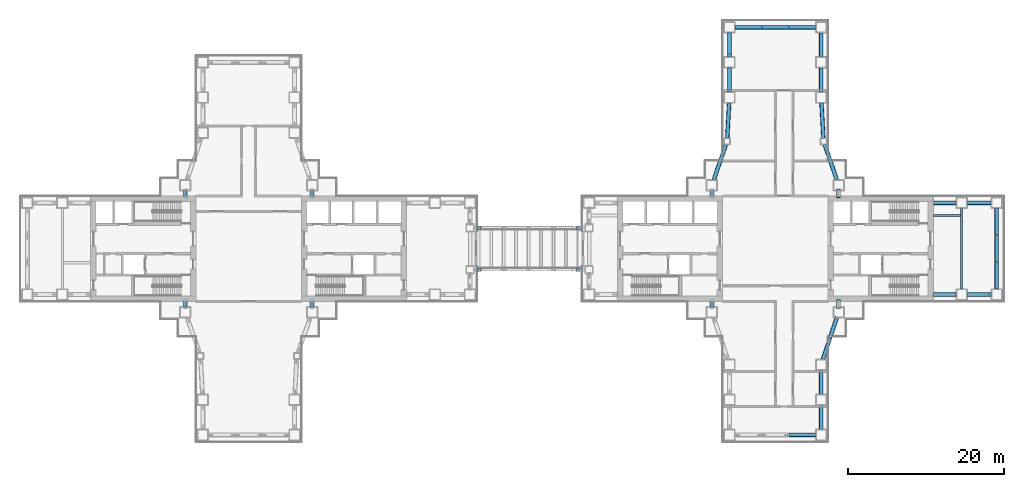
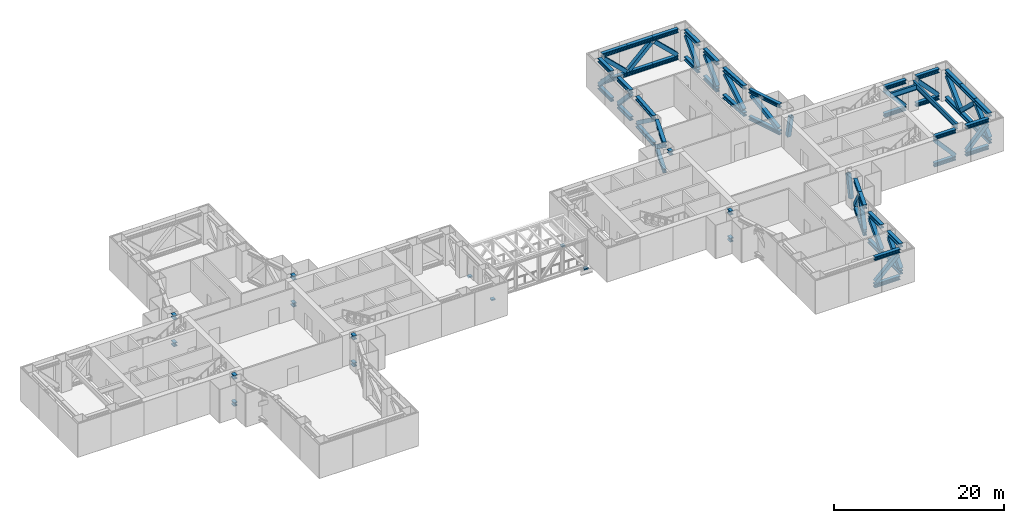
# One storey, part 7 of 23: 86 members, 2 beams.
"""IFC4 building model written with IfcOpenShell, lengths in metres."""

from ifc_helpers import new_model, si_unit, direction, frame, origin, origin_2d, place, context, subcontext, project, spatial, rectangle, hollow_rectangle, i_section, extrude, material, material_profile, profile_set, type_object, element, save


model = new_model("IFC4")

# Units and contexts
model_context = context("Model", 3, precision=1e-05, world=origin(), true_north=direction((0.0, 1.0)))
body_context = subcontext(model_context, "Body", "Model", "MODEL_VIEW")
ifc_project = project(units=[si_unit("LENGTHUNIT", "METRE"), si_unit("AREAUNIT", "SQUARE_METRE"), si_unit("VOLUMEUNIT", "CUBIC_METRE"), si_unit("PLANEANGLEUNIT", "RADIAN"), si_unit("MASSUNIT", "GRAM", prefix="KILO")], contexts=[model_context])

# Site, building, storey
site_placement = place(None, origin())
site = spatial("IfcSite", under=ifc_project, at=site_placement, CompositionType="ELEMENT")
building_placement = place(site_placement, origin())
building = spatial("IfcBuilding", under=site, at=building_placement, Name="Shamsa Quay Exchange Towers", CompositionType="ELEMENT")
storey_placement = place(building_placement, frame((0.0, 0.0, 77.10009765625)))
storey = spatial("IfcBuildingStorey", under=building, at=storey_placement, Name="L17", CompositionType="ELEMENT", Elevation=77.10009765625)

# Members
ifc_material = material(Name="Steel S355", Category="steel")
ifc_material_profile_1 = material_profile(ifc_material, i_section(OverallWidth=0.454345703125, OverallDepth=0.569580078125, WebThickness=0.077880859375, FlangeThickness=0.124755859375, at=origin_2d()), Name="W14x730")
ifc_profile_set_1 = profile_set([ifc_material_profile_1], Name="Steel S355")
member_type_1 = type_object("IfcMemberType", Name="Belt chord W14x730", PredefinedType="CHORD", material=ifc_profile_set_1)
for number, where, z_axis, x_axis, name in (
    (1, (35.47509765625, -23.875, 4.1650390625), (1.0, 0.0, 0.0), (0.0, 1.0, 0.0), "Belt truss chord T2 L17 6"),
    (2, (35.47509765625, -23.875, 0.28466796875), (1.0, 0.0, 0.0), (0.0, 1.0, 0.0), "Belt truss chord T2 L17 6"),
):
    element("IfcMember", number, at=place(storey_placement, frame(where, z_axis=z_axis, x_axis=x_axis)), inside=storey, type_object=member_type_1, Name=name, PredefinedType="CHORD", context=body_context, shape_type="SweptSolid", body=[
        extrude(i_section(OverallWidth=0.454345703125, OverallDepth=0.569580078125, WebThickness=0.077880859375, FlangeThickness=0.124755859375, at=origin_2d()), origin(), (0.0, 0.0, 1.0), 3.449951171875),
    ])
for number, where, z_axis, x_axis, name in (
    (3, (39.625, -23.175048828125, 4.1650390625), (0.0, 1.0, 0.0), (-1.0, 0.0, 0.0), "Belt truss chord T2 L17 7"),
    (4, (39.625, -23.175048828125, 0.28466796875), (0.0, 1.0, 0.0), (-1.0, 0.0, 0.0), "Belt truss chord T2 L17 7"),
    (5, (39.625, -18.675048828125, 4.1650390625), (0.0, 1.0, 0.0), (-1.0, 0.0, 0.0), "Belt truss chord T2 L17 8"),
    (6, (39.625, -18.675048828125, 0.28466796875), (0.0, 1.0, 0.0), (-1.0, 0.0, 0.0), "Belt truss chord T2 L17 8"),
):
    element("IfcMember", number, at=place(storey_placement, frame(where, z_axis=z_axis, x_axis=x_axis)), inside=storey, type_object=member_type_1, Name=name, PredefinedType="CHORD", context=body_context, shape_type="SweptSolid", body=[
        extrude(i_section(OverallWidth=0.454345703125, OverallDepth=0.569580078125, WebThickness=0.077880859375, FlangeThickness=0.124755859375, at=origin_2d()), origin(), (0.0, 0.0, 1.0), 3.10009765625),
    ])
for number, where, z_axis, x_axis, name in (
    (7, (39.8583984375, -14.175048828125, 4.1650390625), (0.316201790943, 0.948691956013, 0.0), (-0.948691956013, 0.316201790943, 0.0), "Belt truss chord T2 L17 9"),
    (8, (39.8583984375, -14.175048828125, 0.28466796875), (0.316201790943, 0.948691956013, 0.0), (-0.948691956013, 0.316201790943, 0.0), "Belt truss chord T2 L17 9"),
    (9, (40.75, -11.5, 4.1650390625), (0.316201790943, 0.948691956013, 0.0), (-0.948691956013, 0.316201790943, 0.0), "Belt truss chord T2 L17 9"),
    (10, (40.75, -11.5, 0.28466796875), (0.316201790943, 0.948691956013, 0.0), (-0.948691956013, 0.316201790943, 0.0), "Belt truss chord T2 L17 9"),
):
    element("IfcMember", number, at=place(storey_placement, frame(where, z_axis=z_axis, x_axis=x_axis)), inside=storey, type_object=member_type_1, Name=name, PredefinedType="CHORD", context=body_context, shape_type="SweptSolid", body=[
        extrude(i_section(OverallWidth=0.454345703125, OverallDepth=0.569580078125, WebThickness=0.077880859375, FlangeThickness=0.124755859375, at=origin_2d()), origin(), (0.0, 0.0, 1.0), 2.81982421875),
    ])
for number, where, z_axis, x_axis, name in (
    (11, (58.324951171875, -5.875, 4.1650390625), (1.0, 0.0, 0.0), (0.0, 1.0, 0.0), "Belt truss chord T2 L17 12"),
    (12, (58.324951171875, -5.875, 0.28466796875), (1.0, 0.0, 0.0), (0.0, 1.0, 0.0), "Belt truss chord T2 L17 12"),
):
    element("IfcMember", number, at=place(storey_placement, frame(where, z_axis=z_axis, x_axis=x_axis)), inside=storey, type_object=member_type_1, Name=name, PredefinedType="CHORD", context=body_context, shape_type="SweptSolid", body=[
        extrude(i_section(OverallWidth=0.454345703125, OverallDepth=0.569580078125, WebThickness=0.077880859375, FlangeThickness=0.124755859375, at=origin_2d()), origin(), (0.0, 0.0, 1.0), 3.10009765625),
    ])
for number, where, z_axis, x_axis, name in (
    (13, (62.125, -5.175048828125, 4.1650390625), (0.0, 1.0, 0.0), (-1.0, 0.0, 0.0), "Belt truss chord T2 L17 13"),
    (14, (62.125, -5.175048828125, 0.28466796875), (0.0, 1.0, 0.0), (-1.0, 0.0, 0.0), "Belt truss chord T2 L17 13"),
):
    element("IfcMember", number, at=place(storey_placement, frame(where, z_axis=z_axis, x_axis=x_axis)), inside=storey, type_object=member_type_1, Name=name, PredefinedType="CHORD", context=body_context, shape_type="SweptSolid", body=[
        extrude(i_section(OverallWidth=0.454345703125, OverallDepth=0.569580078125, WebThickness=0.077880859375, FlangeThickness=0.124755859375, at=origin_2d()), origin(), (0.0, 0.0, 1.0), 3.449951171875),
    ])
for number, where, z_axis, x_axis, name in (
    (15, (62.125, -1.72509765625, 4.1650390625), (0.0, 1.0, 0.0), (-1.0, 0.0, 0.0), "Belt truss chord T2 L17 13"),
    (16, (62.125, -1.72509765625, 0.28466796875), (0.0, 1.0, 0.0), (-1.0, 0.0, 0.0), "Belt truss chord T2 L17 13"),
):
    element("IfcMember", number, at=place(storey_placement, frame(where, z_axis=z_axis, x_axis=x_axis)), inside=storey, type_object=member_type_1, Name=name, PredefinedType="CHORD", context=body_context, shape_type="SweptSolid", body=[
        extrude(i_section(OverallWidth=0.454345703125, OverallDepth=0.569580078125, WebThickness=0.077880859375, FlangeThickness=0.124755859375, at=origin_2d()), origin(), (0.0, 0.0, 1.0), 3.4501953125),
    ])
for number, where, z_axis, x_axis, name in (
    (17, (62.125, 1.72509765625, 4.1650390625), (0.0, 1.0, 0.0), (-1.0, 0.0, 0.0), "Belt truss chord T2 L17 13"),
    (18, (62.125, 1.72509765625, 0.28466796875), (0.0, 1.0, 0.0), (-1.0, 0.0, 0.0), "Belt truss chord T2 L17 13"),
):
    element("IfcMember", number, at=place(storey_placement, frame(where, z_axis=z_axis, x_axis=x_axis)), inside=storey, type_object=member_type_1, Name=name, PredefinedType="CHORD", context=body_context, shape_type="SweptSolid", body=[
        extrude(i_section(OverallWidth=0.454345703125, OverallDepth=0.569580078125, WebThickness=0.077880859375, FlangeThickness=0.124755859375, at=origin_2d()), origin(), (0.0, 0.0, 1.0), 3.449951171875),
    ])
for number, where, z_axis, x_axis, name in (
    (19, (61.425048828125, 5.875, 4.1650390625), (-1.0, 0.0, 0.0), (0.0, -1.0, 0.0), "Belt truss chord T2 L17 14"),
    (20, (61.425048828125, 5.875, 0.28466796875), (-1.0, 0.0, 0.0), (0.0, -1.0, 0.0), "Belt truss chord T2 L17 14"),
):
    element("IfcMember", number, at=place(storey_placement, frame(where, z_axis=z_axis, x_axis=x_axis)), inside=storey, type_object=member_type_1, Name=name, PredefinedType="CHORD", context=body_context, shape_type="SweptSolid", body=[
        extrude(i_section(OverallWidth=0.454345703125, OverallDepth=0.569580078125, WebThickness=0.077880859375, FlangeThickness=0.124755859375, at=origin_2d()), origin(), (0.0, 0.0, 1.0), 3.10009765625),
    ])
for number, where, z_axis, x_axis, name in (
    (21, (41.6337890625, 8.824951171875, 4.1650390625), (-0.325654239425, 0.945488929784, 0.0), (-0.945488929784, -0.325654239425, 0.0), "Belt truss chord T2 L17 17"),
    (22, (41.6337890625, 8.824951171875, 0.28466796875), (-0.325654239425, 0.945488929784, 0.0), (-0.945488929784, -0.325654239425, 0.0), "Belt truss chord T2 L17 17"),
):
    element("IfcMember", number, at=place(storey_placement, frame(where, z_axis=z_axis, x_axis=x_axis)), inside=storey, type_object=member_type_1, Name=name, PredefinedType="CHORD", context=body_context, shape_type="SweptSolid", body=[
        extrude(i_section(OverallWidth=0.454345703125, OverallDepth=0.569580078125, WebThickness=0.077880859375, FlangeThickness=0.124755859375, at=origin_2d()), origin(), (0.0, 0.0, 1.0), 4.7861328125),
    ])
for number, where, z_axis, x_axis, name in (
    (23, (39.915283203125, 14.14990234375, 4.1650390625), (-0.05548493715, 0.998459524342, 0.0), (-0.998459524342, -0.05548493715, 0.0), "Belt truss chord T2 L17 18"),
    (24, (39.915283203125, 14.14990234375, 0.28466796875), (-0.05548493715, 0.998459524342, 0.0), (-0.998459524342, -0.05548493715, 0.0), "Belt truss chord T2 L17 18"),
):
    element("IfcMember", number, at=place(storey_placement, frame(where, z_axis=z_axis, x_axis=x_axis)), inside=storey, type_object=member_type_1, Name=name, PredefinedType="CHORD", context=body_context, shape_type="SweptSolid", body=[
        extrude(i_section(OverallWidth=0.454345703125, OverallDepth=0.569580078125, WebThickness=0.077880859375, FlangeThickness=0.124755859375, at=origin_2d()), origin(), (0.0, 0.0, 1.0), 4.5322265625),
    ])
for number, where, z_axis, x_axis, name in (
    (25, (39.625, 20.074951171875, 4.1650390625), (0.0, 1.0, 0.0), (-1.0, 0.0, 0.0), "Belt truss chord T2 L17 19"),
    (26, (39.625, 20.074951171875, 0.28466796875), (0.0, 1.0, 0.0), (-1.0, 0.0, 0.0), "Belt truss chord T2 L17 19"),
    (27, (39.625, 24.574951171875, 4.1650390625), (0.0, 1.0, 0.0), (-1.0, 0.0, 0.0), "Belt truss chord T2 L17 20"),
    (28, (39.625, 24.574951171875, 0.28466796875), (0.0, 1.0, 0.0), (-1.0, 0.0, 0.0), "Belt truss chord T2 L17 20"),
):
    element("IfcMember", number, at=place(storey_placement, frame(where, z_axis=z_axis, x_axis=x_axis)), inside=storey, type_object=member_type_1, Name=name, PredefinedType="CHORD", context=body_context, shape_type="SweptSolid", body=[
        extrude(i_section(OverallWidth=0.454345703125, OverallDepth=0.569580078125, WebThickness=0.077880859375, FlangeThickness=0.124755859375, at=origin_2d()), origin(), (0.0, 0.0, 1.0), 3.10009765625),
    ])
for number, where, z_axis, x_axis, name in (
    (29, (38.925048828125, 28.375, 4.1650390625), (-1.0, 0.0, 0.0), (0.0, -1.0, 0.0), "Belt truss chord T2 L17 21"),
    (30, (38.925048828125, 28.375, 0.28466796875), (-1.0, 0.0, 0.0), (0.0, -1.0, 0.0), "Belt truss chord T2 L17 21"),
):
    element("IfcMember", number, at=place(storey_placement, frame(where, z_axis=z_axis, x_axis=x_axis)), inside=storey, type_object=member_type_1, Name=name, PredefinedType="CHORD", context=body_context, shape_type="SweptSolid", body=[
        extrude(i_section(OverallWidth=0.454345703125, OverallDepth=0.569580078125, WebThickness=0.077880859375, FlangeThickness=0.124755859375, at=origin_2d()), origin(), (0.0, 0.0, 1.0), 3.449951171875),
    ])
for number, where, z_axis, x_axis, name in (
    (31, (35.47509765625, 28.375, 4.1650390625), (-1.0, 0.0, 0.0), (0.0, -1.0, 0.0), "Belt truss chord T2 L17 21"),
    (32, (35.47509765625, 28.375, 0.28466796875), (-1.0, 0.0, 0.0), (0.0, -1.0, 0.0), "Belt truss chord T2 L17 21"),
):
    element("IfcMember", number, at=place(storey_placement, frame(where, z_axis=z_axis, x_axis=x_axis)), inside=storey, type_object=member_type_1, Name=name, PredefinedType="CHORD", context=body_context, shape_type="SweptSolid", body=[
        extrude(i_section(OverallWidth=0.454345703125, OverallDepth=0.569580078125, WebThickness=0.077880859375, FlangeThickness=0.124755859375, at=origin_2d()), origin(), (0.0, 0.0, 1.0), 3.4501953125),
    ])
for number, where, z_axis, x_axis, name in (
    (33, (32.02490234375, 28.375, 4.1650390625), (-1.0, 0.0, 0.0), (0.0, -1.0, 0.0), "Belt truss chord T2 L17 21"),
    (34, (32.02490234375, 28.375, 0.28466796875), (-1.0, 0.0, 0.0), (0.0, -1.0, 0.0), "Belt truss chord T2 L17 21"),
):
    element("IfcMember", number, at=place(storey_placement, frame(where, z_axis=z_axis, x_axis=x_axis)), inside=storey, type_object=member_type_1, Name=name, PredefinedType="CHORD", context=body_context, shape_type="SweptSolid", body=[
        extrude(i_section(OverallWidth=0.454345703125, OverallDepth=0.569580078125, WebThickness=0.077880859375, FlangeThickness=0.124755859375, at=origin_2d()), origin(), (0.0, 0.0, 1.0), 3.449951171875),
    ])
for number, where, z_axis, x_axis, name in (
    (35, (27.875, 27.675048828125, 4.1650390625), (0.0, -1.0, 0.0), (1.0, 0.0, 0.0), "Belt truss chord T2 L17 22"),
    (36, (27.875, 27.675048828125, 0.28466796875), (0.0, -1.0, 0.0), (1.0, 0.0, 0.0), "Belt truss chord T2 L17 22"),
    (37, (27.875, 23.175048828125, 4.1650390625), (0.0, -1.0, 0.0), (1.0, 0.0, 0.0), "Belt truss chord T2 L17 23"),
    (38, (27.875, 23.175048828125, 0.28466796875), (0.0, -1.0, 0.0), (1.0, 0.0, 0.0), "Belt truss chord T2 L17 23"),
):
    element("IfcMember", number, at=place(storey_placement, frame(where, z_axis=z_axis, x_axis=x_axis)), inside=storey, type_object=member_type_1, Name=name, PredefinedType="CHORD", context=body_context, shape_type="SweptSolid", body=[
        extrude(i_section(OverallWidth=0.454345703125, OverallDepth=0.569580078125, WebThickness=0.077880859375, FlangeThickness=0.124755859375, at=origin_2d()), origin(), (0.0, 0.0, 1.0), 3.10009765625),
    ])
for number, where, z_axis, x_axis, name in (
    (39, (27.836181640625, 18.675048828125, 4.1650390625), (-0.05548493715, -0.998459524342, 0.0), (0.998459524342, -0.05548493715, 0.0), "Belt truss chord T2 L17 24"),
    (40, (27.836181640625, 18.675048828125, 0.28466796875), (-0.05548493715, -0.998459524342, 0.0), (0.998459524342, -0.05548493715, 0.0), "Belt truss chord T2 L17 24"),
):
    element("IfcMember", number, at=place(storey_placement, frame(where, z_axis=z_axis, x_axis=x_axis)), inside=storey, type_object=member_type_1, Name=name, PredefinedType="CHORD", context=body_context, shape_type="SweptSolid", body=[
        extrude(i_section(OverallWidth=0.454345703125, OverallDepth=0.569580078125, WebThickness=0.077880859375, FlangeThickness=0.124755859375, at=origin_2d()), origin(), (0.0, 0.0, 1.0), 4.5322265625),
    ])
for number, where, z_axis, x_axis, name in (
    (41, (27.4248046875, 13.35009765625, 4.1650390625), (-0.325654239425, -0.945488929784, 0.0), (0.945488929784, -0.325654239425, 0.0), "Belt truss chord T2 L17 25"),
    (42, (27.4248046875, 13.35009765625, 0.28466796875), (-0.325654239425, -0.945488929784, 0.0), (0.945488929784, -0.325654239425, 0.0), "Belt truss chord T2 L17 25"),
):
    element("IfcMember", number, at=place(storey_placement, frame(where, z_axis=z_axis, x_axis=x_axis)), inside=storey, type_object=member_type_1, Name=name, PredefinedType="CHORD", context=body_context, shape_type="SweptSolid", body=[
        extrude(i_section(OverallWidth=0.454345703125, OverallDepth=0.569580078125, WebThickness=0.077880859375, FlangeThickness=0.124755859375, at=origin_2d()), origin(), (0.0, 0.0, 1.0), 4.7861328125),
    ])
ifc_material_profile_2 = material_profile(ifc_material, hollow_rectangle(XDim=0.508056640625, YDim=0.508056640625, WallThickness=0.01904296875, at=origin_2d()), Name="HSS20x20x3/4")
ifc_profile_set_2 = profile_set([ifc_material_profile_2], Name="Steel S355")
member_type_2 = type_object("IfcMemberType", Name="Belt diagonal HSS20x20x3/4", PredefinedType="BRACE", material=ifc_profile_set_2)
member_1_placement = place(storey_placement, frame((35.666015625, -23.875, 0.752685546875), z_axis=(0.721511218658, 0.0, 0.692402745048), x_axis=(0.0, 1.0, 0.0)))
element("IfcMember", 43, at=member_1_placement, inside=storey, type_object=member_type_2, Name="Belt truss diagonal T2 L17 6", PredefinedType="BRACE", context=body_context, shape_type="SweptSolid", body=[
    extrude(hollow_rectangle(XDim=0.508056640625, YDim=0.508056640625, WallThickness=0.01904296875, at=origin_2d()), origin(), (0.0, 0.0, 1.0), 4.25244140625),
])
for number, where, z_axis, x_axis, name in (
    (44, (39.625, -23.012451171875, 0.742919921875), (0.0, 0.683452924295, 0.729994589208), (-1.0, 0.0, 0.0), "Belt truss diagonal T2 L17 7"),
    (45, (39.625, -18.512451171875, 0.742919921875), (0.0, 0.683452924295, 0.729994589208), (-1.0, 0.0, 0.0), "Belt truss diagonal T2 L17 8"),
):
    element("IfcMember", number, at=place(storey_placement, frame(where, z_axis=z_axis, x_axis=x_axis)), inside=storey, type_object=member_type_2, Name=name, PredefinedType="BRACE", context=body_context, shape_type="SweptSolid", body=[
        extrude(hollow_rectangle(XDim=0.508056640625, YDim=0.508056640625, WallThickness=0.01904296875, at=origin_2d()), origin(), (0.0, 0.0, 1.0), 4.06005859375),
    ])
for number, where, z_axis, x_axis, name in (
    (46, (39.902587890625, -14.0419921875, 0.734130859375), (0.205029563551, 0.615088690654, 0.761333554166), (-0.948683298051, 0.316227766017, 0.0), "Belt truss diagonal T2 L17 9"),
    (47, (41.597412109375, -8.9580078125, 0.734130859375), (-0.205029563551, -0.615088690654, 0.761333554166), (0.948683298051, -0.316227766017, 0.0), "Belt truss diagonal T2 L17 9"),
):
    element("IfcMember", number, at=place(storey_placement, frame(where, z_axis=z_axis, x_axis=x_axis)), inside=storey, type_object=member_type_2, Name=name, PredefinedType="BRACE", context=body_context, shape_type="SweptSolid", body=[
        extrude(hollow_rectangle(XDim=0.508056640625, YDim=0.508056640625, WallThickness=0.01904296875, at=origin_2d()), origin(), (0.0, 0.0, 1.0), 3.91650390625),
    ])
member_2_placement = place(storey_placement, frame((58.487548828125, -5.875, 0.742919921875), z_axis=(0.683452924295, 0.0, 0.729994589208), x_axis=(0.0, 1.0, 0.0)))
element("IfcMember", 48, at=member_2_placement, inside=storey, type_object=member_type_2, Name="Belt truss diagonal T2 L17 12", PredefinedType="BRACE", context=body_context, shape_type="SweptSolid", body=[
    extrude(hollow_rectangle(XDim=0.508056640625, YDim=0.508056640625, WallThickness=0.01904296875, at=origin_2d()), origin(), (0.0, 0.0, 1.0), 4.06005859375),
])
member_3_placement = place(storey_placement, frame((62.125, -4.984130859375, 0.752685546875), z_axis=(0.0, 0.721511218658, 0.692402745048), x_axis=(-1.0, 0.0, 0.0)))
element("IfcMember", 49, at=member_3_placement, inside=storey, type_object=member_type_2, Name="Belt truss diagonal T2 L17 13", PredefinedType="BRACE", context=body_context, shape_type="SweptSolid", body=[
    extrude(hollow_rectangle(XDim=0.508056640625, YDim=0.508056640625, WallThickness=0.01904296875, at=origin_2d()), origin(), (0.0, 0.0, 1.0), 4.25244140625),
])
member_4_placement = place(storey_placement, frame((62.125, 1.533935546875, 0.752685546875), z_axis=(0.0, -0.72148369184, 0.692431427947), x_axis=(1.0, 0.0, 0.0)))
element("IfcMember", 50, at=member_4_placement, inside=storey, type_object=member_type_2, Name="Belt truss diagonal T2 L17 13", PredefinedType="BRACE", context=body_context, shape_type="SweptSolid", body=[
    extrude(hollow_rectangle(XDim=0.508056640625, YDim=0.508056640625, WallThickness=0.01904296875, at=origin_2d()), origin(), (0.0, 0.0, 1.0), 4.252197265625),
])
member_5_placement = place(storey_placement, frame((62.125, 1.916015625, 0.752685546875), z_axis=(0.0, 0.721511218658, 0.692402745048), x_axis=(-1.0, 0.0, 0.0)))
element("IfcMember", 51, at=member_5_placement, inside=storey, type_object=member_type_2, Name="Belt truss diagonal T2 L17 13", PredefinedType="BRACE", context=body_context, shape_type="SweptSolid", body=[
    extrude(hollow_rectangle(XDim=0.508056640625, YDim=0.508056640625, WallThickness=0.01904296875, at=origin_2d()), origin(), (0.0, 0.0, 1.0), 4.25244140625),
])
member_6_placement = place(storey_placement, frame((61.262451171875, 5.875, 0.742919921875), z_axis=(-0.683452924295, 0.0, 0.729994589208), x_axis=(0.0, -1.0, 0.0)))
element("IfcMember", 52, at=member_6_placement, inside=storey, type_object=member_type_2, Name="Belt truss diagonal T2 L17 14", PredefinedType="BRACE", context=body_context, shape_type="SweptSolid", body=[
    extrude(hollow_rectangle(XDim=0.508056640625, YDim=0.508056640625, WallThickness=0.01904296875, at=origin_2d()), origin(), (0.0, 0.0, 1.0), 4.06005859375),
])
member_7_placement = place(storey_placement, frame((41.53564453125, 9.1103515625, 0.7783203125), z_axis=(-0.267837027078, 0.777538714922, 0.56894364723), x_axis=(-0.945477776023, -0.325686620921, 0.0)))
element("IfcMember", 53, at=member_7_placement, inside=storey, type_object=member_type_2, Name="Belt truss diagonal T2 L17 17", PredefinedType="BRACE", context=body_context, shape_type="SweptSolid", body=[
    extrude(hollow_rectangle(XDim=0.508056640625, YDim=0.508056640625, WallThickness=0.01904296875, at=origin_2d()), origin(), (0.0, 0.0, 1.0), 5.08544921875),
])
member_8_placement = place(storey_placement, frame((39.899658203125, 14.43017578125, 0.7744140625), z_axis=(-0.044782020695, 0.806225314936, 0.589911274836), x_axis=(-0.99846092071, -0.055459803589, 0.0)))
element("IfcMember", 54, at=member_8_placement, inside=storey, type_object=member_type_2, Name="Belt truss diagonal T2 L17 18", PredefinedType="BRACE", context=body_context, shape_type="SweptSolid", body=[
    extrude(hollow_rectangle(XDim=0.508056640625, YDim=0.508056640625, WallThickness=0.01904296875, at=origin_2d()), origin(), (0.0, 0.0, 1.0), 4.91748046875),
])
for number, where, z_axis, x_axis, name in (
    (55, (39.625, 20.237548828125, 0.742919921875), (0.0, 0.683452924295, 0.729994589208), (-1.0, 0.0, 0.0), "Belt truss diagonal T2 L17 19"),
    (56, (39.625, 24.737548828125, 0.742919921875), (0.0, 0.683452924295, 0.729994589208), (-1.0, 0.0, 0.0), "Belt truss diagonal T2 L17 20"),
):
    element("IfcMember", number, at=place(storey_placement, frame(where, z_axis=z_axis, x_axis=x_axis)), inside=storey, type_object=member_type_2, Name=name, PredefinedType="BRACE", context=body_context, shape_type="SweptSolid", body=[
        extrude(hollow_rectangle(XDim=0.508056640625, YDim=0.508056640625, WallThickness=0.01904296875, at=origin_2d()), origin(), (0.0, 0.0, 1.0), 4.06005859375),
    ])
member_9_placement = place(storey_placement, frame((38.734130859375, 28.375, 0.752685546875), z_axis=(-0.721511218658, 0.0, 0.692402745048), x_axis=(0.0, -1.0, 0.0)))
element("IfcMember", 57, at=member_9_placement, inside=storey, type_object=member_type_2, Name="Belt truss diagonal T2 L17 21", PredefinedType="BRACE", context=body_context, shape_type="SweptSolid", body=[
    extrude(hollow_rectangle(XDim=0.508056640625, YDim=0.508056640625, WallThickness=0.01904296875, at=origin_2d()), origin(), (0.0, 0.0, 1.0), 4.25244140625),
])
member_10_placement = place(storey_placement, frame((32.216064453125, 28.375, 0.752685546875), z_axis=(0.72148369184, 0.0, 0.692431427947), x_axis=(0.0, 1.0, 0.0)))
element("IfcMember", 58, at=member_10_placement, inside=storey, type_object=member_type_2, Name="Belt truss diagonal T2 L17 21", PredefinedType="BRACE", context=body_context, shape_type="SweptSolid", body=[
    extrude(hollow_rectangle(XDim=0.508056640625, YDim=0.508056640625, WallThickness=0.01904296875, at=origin_2d()), origin(), (0.0, 0.0, 1.0), 4.252197265625),
])
member_11_placement = place(storey_placement, frame((31.833984375, 28.375, 0.752685546875), z_axis=(-0.721511218658, 0.0, 0.692402745048), x_axis=(0.0, -1.0, 0.0)))
element("IfcMember", 59, at=member_11_placement, inside=storey, type_object=member_type_2, Name="Belt truss diagonal T2 L17 21", PredefinedType="BRACE", context=body_context, shape_type="SweptSolid", body=[
    extrude(hollow_rectangle(XDim=0.508056640625, YDim=0.508056640625, WallThickness=0.01904296875, at=origin_2d()), origin(), (0.0, 0.0, 1.0), 4.25244140625),
])
for number, where, z_axis, x_axis, name in (
    (60, (27.875, 27.512451171875, 0.742919921875), (0.0, -0.683452924295, 0.729994589208), (1.0, 0.0, 0.0), "Belt truss diagonal T2 L17 22"),
    (61, (27.875, 23.012451171875, 0.742919921875), (0.0, -0.683452924295, 0.729994589208), (1.0, 0.0, 0.0), "Belt truss diagonal T2 L17 23"),
):
    element("IfcMember", number, at=place(storey_placement, frame(where, z_axis=z_axis, x_axis=x_axis)), inside=storey, type_object=member_type_2, Name=name, PredefinedType="BRACE", context=body_context, shape_type="SweptSolid", body=[
        extrude(hollow_rectangle(XDim=0.508056640625, YDim=0.508056640625, WallThickness=0.01904296875, at=origin_2d()), origin(), (0.0, 0.0, 1.0), 4.06005859375),
    ])
member_12_placement = place(storey_placement, frame((27.820556640625, 18.394775390625, 0.7744140625), z_axis=(-0.044782020695, -0.806225314936, 0.589911274836), x_axis=(0.99846092071, -0.055459803589, 0.0)))
element("IfcMember", 62, at=member_12_placement, inside=storey, type_object=member_type_2, Name="Belt truss diagonal T2 L17 24", PredefinedType="BRACE", context=body_context, shape_type="SweptSolid", body=[
    extrude(hollow_rectangle(XDim=0.508056640625, YDim=0.508056640625, WallThickness=0.01904296875, at=origin_2d()), origin(), (0.0, 0.0, 1.0), 4.91748046875),
])
member_13_placement = place(storey_placement, frame((27.326416015625, 13.064453125, 0.7783203125), z_axis=(-0.267837027078, -0.777538714922, 0.56894364723), x_axis=(0.945477776023, -0.325686620921, 0.0)))
element("IfcMember", 63, at=member_13_placement, inside=storey, type_object=member_type_2, Name="Belt truss diagonal T2 L17 25", PredefinedType="BRACE", context=body_context, shape_type="SweptSolid", body=[
    extrude(hollow_rectangle(XDim=0.508056640625, YDim=0.508056640625, WallThickness=0.01904296875, at=origin_2d()), origin(), (0.0, 0.0, 1.0), 5.08544921875),
])

# Beams
ifc_material_profile_3 = material_profile(ifc_material, i_section(OverallWidth=0.26611328125, OverallDepth=0.7578125, WebThickness=0.013916015625, FlangeThickness=0.019287109375, at=origin_2d()), Name="W30x108")
ifc_profile_set_3 = profile_set([ifc_material_profile_3], Name="Steel S355")
beam_type = type_object("IfcBeamType", Name="End-zone beam W30x108", PredefinedType="BEAM", material=ifc_profile_set_3)
beam_1_placement = place(storey_placement, frame((57.625, -5.175048828125, 4.071044921875), z_axis=(0.0, 1.0, 0.0), x_axis=(-1.0, 0.0, 0.0)))
element("IfcBeam", 64, at=beam_1_placement, inside=storey, type_object=beam_type, Name="End beam T2 V- end zone L17", PredefinedType="BEAM", context=body_context, shape_type="SweptSolid", body=[
    extrude(i_section(OverallWidth=0.26611328125, OverallDepth=0.7578125, WebThickness=0.013916015625, FlangeThickness=0.019287109375, at=origin_2d()), origin(), (0.0, 0.0, 1.0), 10.35009765625),
])
beam_2_placement = place(storey_placement, frame((54.0, 4.27490234375, 4.071044921875), z_axis=(1.0, 0.0, 0.0), x_axis=(0.0, 1.0, 0.0)))
element("IfcBeam", 65, at=beam_2_placement, inside=storey, type_object=beam_type, Name="Spine beam T2 V- end zone L17", PredefinedType="BEAM", context=body_context, shape_type="SweptSolid", body=[
    extrude(i_section(OverallWidth=0.26611328125, OverallDepth=0.7578125, WebThickness=0.013916015625, FlangeThickness=0.019287109375, at=origin_2d()), origin(), (0.0, 0.0, 1.0), 3.491943359375),
])

# Members
ifc_material_profile_4 = material_profile(ifc_material, i_section(OverallWidth=0.454345703125, OverallDepth=0.569580078125, WebThickness=0.077880859375, FlangeThickness=0.124755859375, at=origin_2d()), Name="W14x730")
ifc_profile_set_4 = profile_set([ifc_material_profile_4], Name="Steel S355")
member_type_3 = type_object("IfcMemberType", Name="Outrigger chord W14x730", PredefinedType="CHORD", material=ifc_profile_set_4)
for number, where, z_axis, x_axis, name in (
    (66, (-41.875, -7.425048828125, 4.1650390625), (0.0, 1.0, 0.0), (-1.0, 0.0, 0.0), "Outrigger truss chord T1 L17 3"),
    (67, (-41.875, -7.425048828125, 0.28466796875), (0.0, 1.0, 0.0), (-1.0, 0.0, 0.0), "Outrigger truss chord T1 L17 3"),
    (68, (-25.625, -7.425048828125, 4.1650390625), (0.0, 1.0, 0.0), (-1.0, 0.0, 0.0), "Outrigger truss chord T1 L17 11"),
    (69, (-25.625, -7.425048828125, 0.28466796875), (0.0, 1.0, 0.0), (-1.0, 0.0, 0.0), "Outrigger truss chord T1 L17 11"),
    (70, (-25.625, 7.425048828125, 4.1650390625), (0.0, -1.0, 0.0), (1.0, 0.0, 0.0), "Outrigger truss chord T1 L17 19"),
    (71, (-25.625, 7.425048828125, 0.28466796875), (0.0, -1.0, 0.0), (1.0, 0.0, 0.0), "Outrigger truss chord T1 L17 19"),
    (72, (-41.875, 7.425048828125, 4.1650390625), (0.0, -1.0, 0.0), (1.0, 0.0, 0.0), "Outrigger truss chord T1 L17 27"),
    (73, (-41.875, 7.425048828125, 0.28466796875), (0.0, -1.0, 0.0), (1.0, 0.0, 0.0), "Outrigger truss chord T1 L17 27"),
    (74, (25.625, -7.425048828125, 4.1650390625), (0.0, 1.0, 0.0), (-1.0, 0.0, 0.0), "Outrigger truss chord T2 L17 2"),
    (75, (25.625, -7.425048828125, 0.28466796875), (0.0, 1.0, 0.0), (-1.0, 0.0, 0.0), "Outrigger truss chord T2 L17 2"),
):
    element("IfcMember", number, at=place(storey_placement, frame(where, z_axis=z_axis, x_axis=x_axis)), inside=storey, type_object=member_type_3, Name=name, PredefinedType="CHORD", context=body_context, shape_type="SweptSolid", body=[
        extrude(i_section(OverallWidth=0.454345703125, OverallDepth=0.569580078125, WebThickness=0.077880859375, FlangeThickness=0.124755859375, at=origin_2d()), origin(), (0.0, 0.0, 1.0), 0.675048828125),
    ])
for number, where, z_axis, x_axis, name in (
    (76, (56.925048828125, -5.875, 4.1650390625), (-1.0, 0.0, 0.0), (0.0, -1.0, 0.0), "Outrigger truss chord T2 L17 11"),
    (77, (56.925048828125, -5.875, 0.28466796875), (-1.0, 0.0, 0.0), (0.0, -1.0, 0.0), "Outrigger truss chord T2 L17 11"),
    (78, (56.925048828125, 5.875, 4.1650390625), (-1.0, 0.0, 0.0), (0.0, -1.0, 0.0), "Outrigger truss chord T2 L17 15"),
    (79, (56.925048828125, 5.875, 0.28466796875), (-1.0, 0.0, 0.0), (0.0, -1.0, 0.0), "Outrigger truss chord T2 L17 15"),
):
    element("IfcMember", number, at=place(storey_placement, frame(where, z_axis=z_axis, x_axis=x_axis)), inside=storey, type_object=member_type_3, Name=name, PredefinedType="CHORD", context=body_context, shape_type="SweptSolid", body=[
        extrude(i_section(OverallWidth=0.454345703125, OverallDepth=0.569580078125, WebThickness=0.077880859375, FlangeThickness=0.124755859375, at=origin_2d()), origin(), (0.0, 0.0, 1.0), 2.925048828125),
    ])
member_14_placement = place(storey_placement, frame((25.625, 7.425048828125, 4.1650390625), z_axis=(0.0, -1.0, 0.0), x_axis=(1.0, 0.0, 0.0)))
element("IfcMember", 80, at=member_14_placement, inside=storey, type_object=member_type_3, Name="Outrigger truss chord T2 L17 26", PredefinedType="CHORD", context=body_context, shape_type="SweptSolid", body=[
    extrude(i_section(OverallWidth=0.454345703125, OverallDepth=0.569580078125, WebThickness=0.077880859375, FlangeThickness=0.124755859375, at=origin_2d()), origin(), (0.0, 0.0, 1.0), 0.675048828125),
])
ifc_material_profile_5 = material_profile(ifc_material, hollow_rectangle(XDim=0.508056640625, YDim=0.508056640625, WallThickness=0.01904296875, at=origin_2d()), Name="HSS20x20x3/4")
ifc_profile_set_5 = profile_set([ifc_material_profile_5], Name="Steel S355")
member_type_4 = type_object("IfcMemberType", Name="Outrigger diagonal HSS20x20x3/4", PredefinedType="BRACE", material=ifc_profile_set_5)
member_15_placement = place(storey_placement, frame((41.875, -7.41455078125, 0.6201171875), z_axis=(0.0, 0.199755563575, 0.97984576073), x_axis=(-1.0, 0.0, 0.0)))
element("IfcMember", 81, at=member_15_placement, inside=storey, type_object=member_type_4, Name="Outrigger truss diagonal T2 L17 10", PredefinedType="BRACE", context=body_context, shape_type="SweptSolid", body=[
    extrude(hollow_rectangle(XDim=0.508056640625, YDim=0.508056640625, WallThickness=0.01904296875, at=origin_2d()), origin(), (0.0, 0.0, 1.0), 3.275390625),
])
for number, where, z_axis, x_axis, name in (
    (82, (56.7763671875, -5.875, 0.737548828125), (-0.66205079441, 0.0, 0.749458968604), (0.0, -1.0, 0.0), "Outrigger truss diagonal T2 L17 11"),
    (83, (56.7763671875, 5.875, 0.737548828125), (-0.66205079441, 0.0, 0.749458968604), (0.0, -1.0, 0.0), "Outrigger truss diagonal T2 L17 15"),
):
    element("IfcMember", number, at=place(storey_placement, frame(where, z_axis=z_axis, x_axis=x_axis)), inside=storey, type_object=member_type_4, Name=name, PredefinedType="BRACE", context=body_context, shape_type="SweptSolid", body=[
        extrude(hollow_rectangle(XDim=0.508056640625, YDim=0.508056640625, WallThickness=0.01904296875, at=origin_2d()), origin(), (0.0, 0.0, 1.0), 3.968994140625),
    ])
member_16_placement = place(storey_placement, frame((41.875, 7.41455078125, 0.6201171875), z_axis=(0.0, -0.199755563575, 0.97984576073), x_axis=(1.0, 0.0, 0.0)))
element("IfcMember", 84, at=member_16_placement, inside=storey, type_object=member_type_4, Name="Outrigger truss diagonal T2 L17 16", PredefinedType="BRACE", context=body_context, shape_type="SweptSolid", body=[
    extrude(hollow_rectangle(XDim=0.508056640625, YDim=0.508056640625, WallThickness=0.01904296875, at=origin_2d()), origin(), (0.0, 0.0, 1.0), 3.275390625),
])
ifc_material_profile_6 = material_profile(ifc_material, rectangle(XDim=0.5, YDim=0.199951171875, at=origin_2d()), Name="500x200")
ifc_profile_set_6 = profile_set([ifc_material_profile_6], Name="Steel S355")
member_type_5 = type_object("IfcMemberType", Name="PTFE sliding bearing", PredefinedType="USERDEFINED", material=ifc_profile_set_6)
for number, where, name in (
    (85, (8.449951171875, -2.699951171875, -0.7177734375), "Sliding bearing BR1 T2 S"),
    (86, (8.449951171875, 2.699951171875, -0.7177734375), "Sliding bearing BR1 T2 N"),
):
    element("IfcMember", number, at=place(storey_placement, frame(where)), inside=storey, type_object=member_type_5, Name=name, ObjectType="BEARING", PredefinedType="USERDEFINED", context=body_context, shape_type="SweptSolid", body=[
        extrude(rectangle(XDim=0.5, YDim=0.449951171875, at=origin_2d()), origin(), (0.0, 0.0, 1.0), 0.199951171875),
    ])
ifc_material_profile_7 = material_profile(ifc_material, rectangle(XDim=0.5, YDim=0.199951171875, at=origin_2d()), Name="500x200")
ifc_profile_set_7 = profile_set([ifc_material_profile_7], Name="Steel S355")
member_type_6 = type_object("IfcMemberType", Name="Pot bearing, fixed", PredefinedType="USERDEFINED", material=ifc_profile_set_7)
for number, where, name in (
    (87, (-4.199951171875, -2.699951171875, -0.7177734375), "Fixed bearing BR1 T1 S"),
    (88, (-4.199951171875, 2.699951171875, -0.7177734375), "Fixed bearing BR1 T1 N"),
):
    element("IfcMember", number, at=place(storey_placement, frame(where)), inside=storey, type_object=member_type_6, Name=name, ObjectType="BEARING", PredefinedType="USERDEFINED", context=body_context, shape_type="SweptSolid", body=[
        extrude(rectangle(XDim=0.5, YDim=0.449951171875, at=origin_2d()), origin(), (0.0, 0.0, 1.0), 0.199951171875),
    ])

save(model, "model.ifc")
